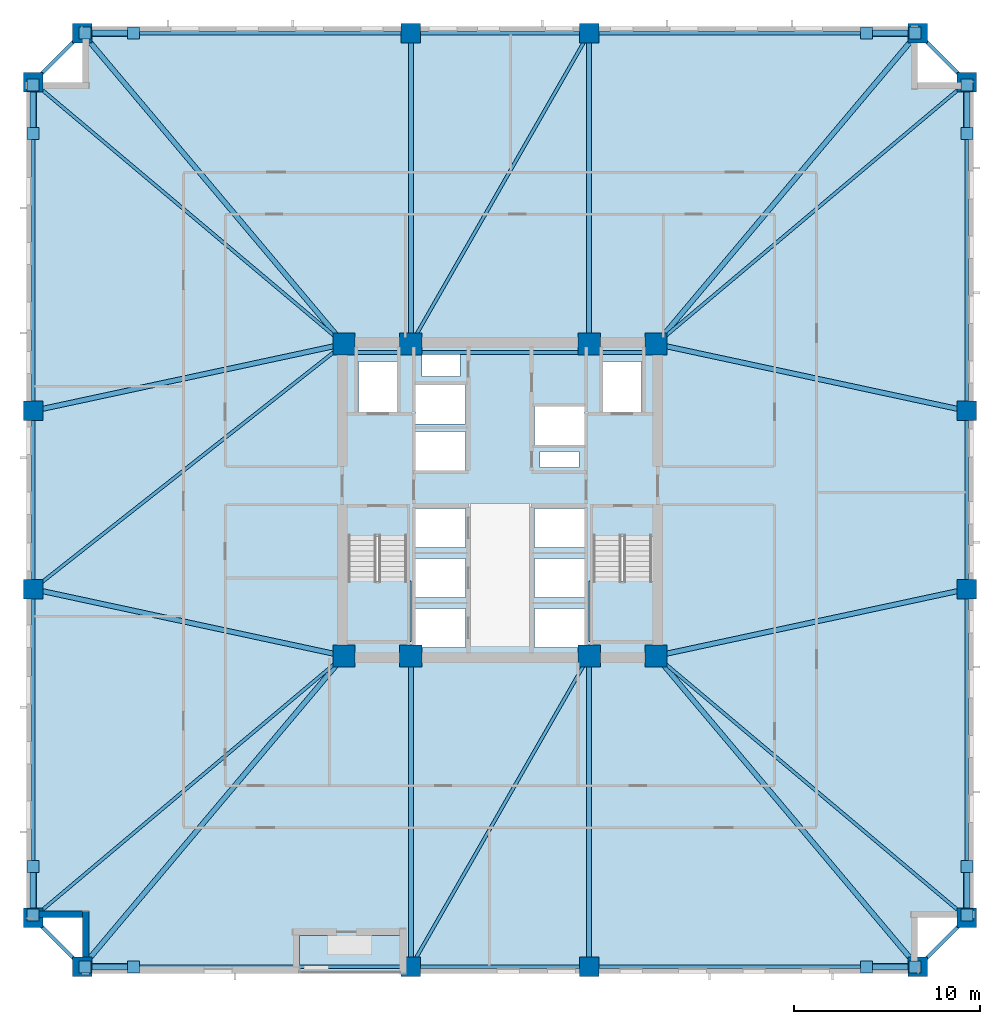
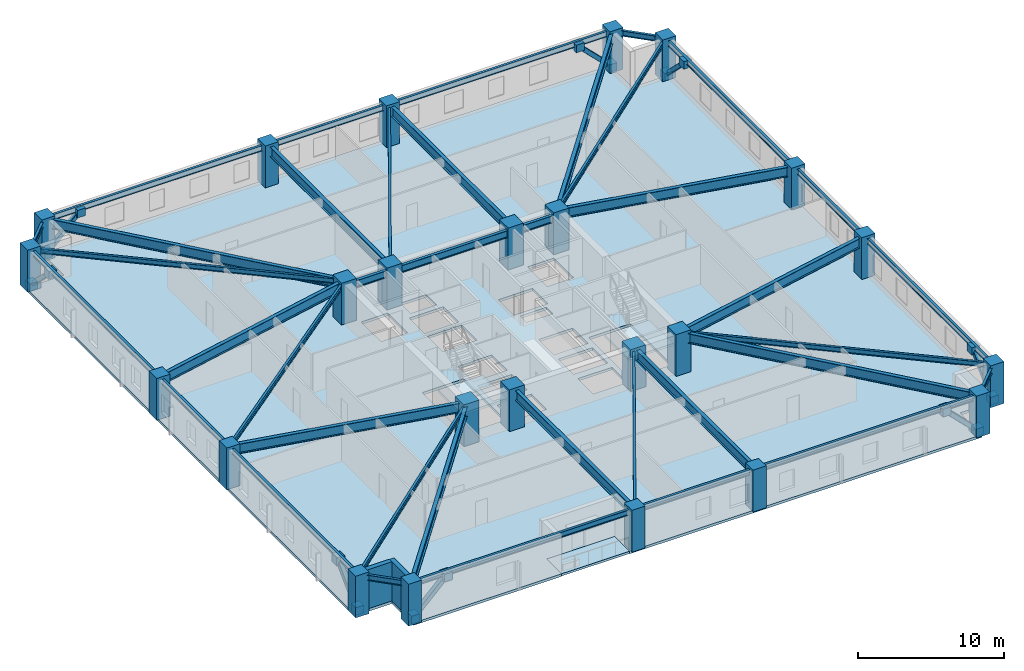
# One storey, part 1 of 10: 38 beams, 24 columns, 16 plates, 8 members, 4 slabs, 2 walls, 2 elements without a shape of their own.
"""IFC4 building model written with IfcOpenShell, lengths in metres."""

from ifc_helpers import new_model, si_unit, direction, frame, frame_2d, origin, origin_2d, place, context, subcontext, project, spatial, polyline, rectangle, hollow_rectangle, i_section, outline, extrude, material, layer, layer_set, material_profile, profile_set, type_object, element, aggregate, save


model = new_model("IFC4")

# Units and contexts
model_context = context("Model", 3, precision=1e-05, world=origin(), true_north=direction((0.0, 1.0)))
body_context = subcontext(model_context, "Body", "Model", "MODEL_VIEW")
ifc_project = project(units=[si_unit("LENGTHUNIT", "METRE"), si_unit("AREAUNIT", "SQUARE_METRE"), si_unit("VOLUMEUNIT", "CUBIC_METRE"), si_unit("PLANEANGLEUNIT", "RADIAN"), si_unit("MASSUNIT", "GRAM", prefix="KILO")], contexts=[model_context])

# Site, building, storey
site_placement = place(None, origin())
site = spatial("IfcSite", under=ifc_project, at=site_placement, CompositionType="ELEMENT")
building_placement = place(site_placement, origin())
building = spatial("IfcBuilding", under=site, at=building_placement, Name="Cairnveth Concourse Tower", CompositionType="ELEMENT")
storey_placement = place(building_placement, frame((0.0, 0.0, 30.5)))
storey = spatial("IfcBuildingStorey", under=building, at=storey_placement, Name="L07", CompositionType="ELEMENT", Elevation=30.5)

# Columns
ifc_material_1 = material(Name="Concrete N80 (80 MPa)", Category="concrete")
ifc_material_profile_1 = material_profile(ifc_material_1, rectangle(XDim=1.199951171875, YDim=1.199951171875, at=origin_2d()), Name="RC-COL-1200x1200")
ifc_profile_set_1 = profile_set([ifc_material_profile_1], Name="Concrete N80 (80 MPa)")
column_type_1 = type_object("IfcColumnType", Name="CORE COLUMN 1200X1200", PredefinedType="COLUMN", material=ifc_profile_set_1)
for number, where, z_axis, x_axis, name in (
    (1, (43.60009765625, 30.60009765625, 0.0), (0.0, 0.0, 1.0), (1.0, 0.0, 0.0), "Column CC1 L07"),
    (2, (47.199951171875, 30.60009765625, 0.0), (0.0, 0.0, 1.0), (1.0, 0.0, 0.0), "Column CC2 L07"),
    (3, (56.800048828125, 30.60009765625, 0.0), (0.0, 0.0, 1.0), (1.0, 0.0, 0.0), "Column CC3 L07"),
    (4, (60.39990234375, 30.60009765625, 0.0), (0.0, 0.0, 1.0), (1.0, 0.0, 0.0), "Column CC4 L07"),
    (5, (43.60009765625, 47.39990234375, 0.0), (0.0, 0.0, 1.0), (1.0, 0.0, 0.0), "Column CC5 L07"),
    (6, (47.199951171875, 47.39990234375, 0.0), (0.0, 0.0, 1.0), (1.0, 0.0, 0.0), "Column CC6 L07"),
    (7, (56.800048828125, 47.39990234375, 0.0), (0.0, 0.0, 1.0), (1.0, 0.0, 0.0), "Column CC7 L07"),
    (8, (60.39990234375, 47.39990234375, 0.0), (0.0, 0.0, 1.0), (1.0, 0.0, 0.0), "Column CC8 L07"),
):
    element("IfcColumn", number, at=place(storey_placement, frame(where, z_axis=z_axis, x_axis=x_axis)), inside=storey, type_object=column_type_1, Name=name, PredefinedType="COLUMN", context=body_context, shape_type="SweptSolid", body=[
        extrude(rectangle(XDim=1.199951171875, YDim=1.199951171875, at=origin_2d()), origin(), (0.0, 0.0, 1.0), 3.5),
    ])
ifc_material_2 = material(Name="Concrete N65 (65 MPa)", Category="concrete")
ifc_material_profile_2 = material_profile(ifc_material_2, rectangle(XDim=1.050048828125, YDim=1.050048828125, at=origin_2d()), Name="RC-COL-1050x1050")
ifc_profile_set_2 = profile_set([ifc_material_profile_2], Name="Concrete N65 (65 MPa)")
column_type_2 = type_object("IfcColumnType", Name="PERIMETER PIER COLUMN 1050X1050", PredefinedType="COLUMN", material=ifc_profile_set_2)
for number, where, z_axis, x_axis, name in (
    (9, (29.5, 13.85009765625, 0.0), (0.0, 0.0, 1.0), (1.0, 0.0, 0.0), "Column P-S1 L07"),
    (10, (47.199951171875, 13.85009765625, 0.0), (0.0, 0.0, 1.0), (1.0, 0.0, 0.0), "Column P-S2 L07"),
    (11, (56.800048828125, 13.85009765625, 0.0), (0.0, 0.0, 1.0), (1.0, 0.0, 0.0), "Column P-S3 L07"),
    (12, (74.5, 13.85009765625, 0.0), (0.0, 0.0, 1.0), (1.0, 0.0, 0.0), "Column P-S4 L07"),
    (13, (77.14990234375, 16.5, 0.0), (0.0, 0.0, 1.0), (0.0, 1.0, 0.0), "Column P-E1 L07"),
    (14, (77.14990234375, 34.199951171875, 0.0), (0.0, 0.0, 1.0), (0.0, 1.0, 0.0), "Column P-E2 L07"),
    (15, (77.14990234375, 43.800048828125, 0.0), (0.0, 0.0, 1.0), (0.0, 1.0, 0.0), "Column P-E3 L07"),
    (16, (77.14990234375, 61.5, 0.0), (0.0, 0.0, 1.0), (0.0, 1.0, 0.0), "Column P-E4 L07"),
    (17, (74.5, 64.14990234375, 0.0), (0.0, 0.0, 1.0), (1.0, 0.0, 0.0), "Column P-N1 L07"),
    (18, (56.800048828125, 64.14990234375, 0.0), (0.0, 0.0, 1.0), (1.0, 0.0, 0.0), "Column P-N2 L07"),
    (19, (47.199951171875, 64.14990234375, 0.0), (0.0, 0.0, 1.0), (1.0, 0.0, 0.0), "Column P-N3 L07"),
    (20, (29.5, 64.14990234375, 0.0), (0.0, 0.0, 1.0), (1.0, 0.0, 0.0), "Column P-N4 L07"),
    (21, (26.85009765625, 61.5, 0.0), (0.0, 0.0, 1.0), (0.0, 1.0, 0.0), "Column P-W1 L07"),
    (22, (26.85009765625, 43.800048828125, 0.0), (0.0, 0.0, 1.0), (0.0, 1.0, 0.0), "Column P-W2 L07"),
    (23, (26.85009765625, 34.199951171875, 0.0), (0.0, 0.0, 1.0), (0.0, 1.0, 0.0), "Column P-W3 L07"),
    (24, (26.85009765625, 16.5, 0.0), (0.0, 0.0, 1.0), (0.0, 1.0, 0.0), "Column P-W4 L07"),
):
    element("IfcColumn", number, at=place(storey_placement, frame(where, z_axis=z_axis, x_axis=x_axis)), inside=storey, type_object=column_type_2, Name=name, PredefinedType="COLUMN", context=body_context, shape_type="SweptSolid", body=[
        extrude(rectangle(XDim=1.050048828125, YDim=1.050048828125, at=origin_2d()), origin(), (0.0, 0.0, 1.0), 3.5),
    ])

# Beams
ifc_material_3 = material(Name="Steel Grade 350", Category="steel")
ifc_material_profile_3 = material_profile(ifc_material_3, i_section(OverallWidth=0.22802734375, OverallDepth=0.60693359375, WebThickness=0.01123046875, FlangeThickness=0.017333984375, FilletRadius=0.013916015625, at=origin_2d()), Name="610UB113")
ifc_profile_set_3 = profile_set([ifc_material_profile_3], Name="Steel Grade 350")
beam_type_1 = type_object("IfcBeamType", Name="CORE TIE BEAM 610UB113", PredefinedType="T_BEAM", material=ifc_profile_set_3)
for number, where, z_axis, x_axis, name in (
    (25, (43.60009765625, 46.949951171875, 2.9765625), (1.0, 0.0, 0.0), (0.0, 1.0, 0.0), "Beam CT-N1 L07"),
    (26, (56.800048828125, 46.949951171875, 2.9765625), (1.0, 0.0, 0.0), (0.0, 1.0, 0.0), "Beam CT-N3 L07"),
):
    element("IfcBeam", number, at=place(storey_placement, frame(where, z_axis=z_axis, x_axis=x_axis)), inside=storey, type_object=beam_type_1, Name=name, PredefinedType="T_BEAM", context=body_context, shape_type="SweptSolid", body=[
        extrude(i_section(OverallWidth=0.22802734375, OverallDepth=0.60693359375, WebThickness=0.01123046875, FlangeThickness=0.017333984375, FilletRadius=0.013916015625, at=origin_2d()), origin(), (0.0, 0.0, 1.0), 3.599853515625),
    ])
beam_1_placement = place(storey_placement, frame((47.199951171875, 46.949951171875, 2.9765625), z_axis=(1.0, 0.0, 0.0), x_axis=(0.0, 1.0, 0.0)))
element("IfcBeam", 27, at=beam_1_placement, inside=storey, type_object=beam_type_1, Name="Beam CT-N2 L07", PredefinedType="T_BEAM", context=body_context, shape_type="SweptSolid", body=[
    extrude(i_section(OverallWidth=0.22802734375, OverallDepth=0.60693359375, WebThickness=0.01123046875, FlangeThickness=0.017333984375, FilletRadius=0.013916015625, at=origin_2d()), origin(), (0.0, 0.0, 1.0), 9.60009765625),
])
ifc_material_profile_4 = material_profile(ifc_material_3, i_section(OverallWidth=0.177978515625, OverallDepth=0.406005859375, WebThickness=0.0078125, FlangeThickness=0.0126953125, FilletRadius=0.010986328125, at=origin_2d()), Name="410UB59.7")
ifc_profile_set_4 = profile_set([ifc_material_profile_4], Name="Steel Grade 350")
beam_type_2 = type_object("IfcBeamType", Name="ZONE 1 FLOOR JOIST 410UB59.7", PredefinedType="JOIST", material=ifc_profile_set_4)
for number, where, z_axis, x_axis, name in (
    (28, (26.85009765625, 16.5, 3.076904296875), (0.765027427674, 0.643997697905, 0.0), (-0.643997697905, 0.765027427674, 0.0), "Beam FJ-CSW2 L07"),
    (29, (77.14990234375, 16.5, 3.076904296875), (-0.765027427674, 0.643997697905, 0.0), (-0.643997697905, -0.765027427674, 0.0), "Beam FJ-CSE2 L07"),
    (30, (77.14990234375, 61.5, 3.076904296875), (-0.765027427674, -0.643997697905, 0.0), (0.643997697905, -0.765027427674, 0.0), "Beam FJ-CNE2 L07"),
    (31, (26.85009765625, 61.5, 3.076904296875), (0.765027427674, -0.643997697905, 0.0), (0.643997697905, 0.765027427674, 0.0), "Beam FJ-CNW2 L07"),
):
    element("IfcBeam", number, at=place(storey_placement, frame(where, z_axis=z_axis, x_axis=x_axis)), inside=storey, type_object=beam_type_2, Name=name, PredefinedType="JOIST", context=body_context, shape_type="SweptSolid", body=[
        extrude(i_section(OverallWidth=0.177978515625, OverallDepth=0.406005859375, WebThickness=0.0078125, FlangeThickness=0.0126953125, FilletRadius=0.010986328125, at=origin_2d()), origin(), (0.0, 0.0, 1.0), 21.89453125),
    ])
for number, where, z_axis, x_axis, name in (
    (32, (47.199951171875, 13.85009765625, 3.076904296875), (0.497257970706, 0.86760273776, 0.0), (-0.86760273776, 0.497257970706, 0.0), "Beam FJ-S-M1 L07"),
    (33, (47.199951171875, 47.39990234375, 3.076904296875), (0.497257970706, 0.86760273776, 0.0), (-0.86760273776, 0.497257970706, 0.0), "Beam FJ-N-M1 L07"),
):
    element("IfcBeam", number, at=place(storey_placement, frame(where, z_axis=z_axis, x_axis=x_axis)), inside=storey, type_object=beam_type_2, Name=name, PredefinedType="JOIST", context=body_context, shape_type="SweptSolid", body=[
        extrude(i_section(OverallWidth=0.177978515625, OverallDepth=0.406005859375, WebThickness=0.0078125, FlangeThickness=0.0126953125, FilletRadius=0.010986328125, at=origin_2d()), origin(), (0.0, 0.0, 1.0), 19.30615234375),
    ])
beam_2_placement = place(storey_placement, frame((26.85009765625, 34.199951171875, 3.076904296875), z_axis=(0.785423705995, 0.618958481694, 0.0), x_axis=(-0.618958481694, 0.785423705995, 0.0)))
element("IfcBeam", 34, at=beam_2_placement, inside=storey, type_object=beam_type_2, Name="Beam FJ-W-M1 L07", PredefinedType="JOIST", context=body_context, shape_type="SweptSolid", body=[
    extrude(i_section(OverallWidth=0.177978515625, OverallDepth=0.406005859375, WebThickness=0.0078125, FlangeThickness=0.0126953125, FilletRadius=0.010986328125, at=origin_2d()), origin(), (0.0, 0.0, 1.0), 21.326171875),
])

# Members
ifc_material_4 = material(Name="Steel C350L0 (350 MPa)", Category="steel")
ifc_material_profile_5 = material_profile(ifc_material_4, hollow_rectangle(XDim=0.35009765625, YDim=0.35009765625, WallThickness=0.01611328125, InnerFilletRadius=0.01611328125, OuterFilletRadius=0.031982421875, at=origin_2d()), Name="350x350x16.0SHS")
ifc_profile_set_5 = profile_set([ifc_material_profile_5], Name="Steel C350L0 (350 MPa)")
member_type = type_object("IfcMemberType", Name="ZONE 1 PIER BRACE 350X350X16SHS", PredefinedType="BRACE", material=ifc_profile_set_5)
for number, where, z_axis, x_axis, name in (
    (35, (29.64990234375, 13.85009765625, 0.25), (0.709834195787, 0.0, 0.704368805735), (0.0, 1.0, 0.0), "Structural Brace PB-S1 L07"),
    (36, (74.35009765625, 13.85009765625, 0.25), (-0.709834195787, 0.0, 0.704368805735), (0.0, -1.0, 0.0), "Structural Brace PB-S2 L07"),
    (37, (29.64990234375, 64.14990234375, 0.25), (0.709834195787, 0.0, 0.704368805735), (0.0, 1.0, 0.0), "Structural Brace PB-N1 L07"),
    (38, (74.35009765625, 64.14990234375, 0.25), (-0.709834195787, 0.0, 0.704368805735), (0.0, -1.0, 0.0), "Structural Brace PB-N2 L07"),
    (39, (26.85009765625, 16.64990234375, 0.25), (0.0, 0.709834195787, 0.704368805735), (-1.0, 0.0, 0.0), "Structural Brace PB-W1 L07"),
    (40, (26.85009765625, 61.35009765625, 0.25), (0.0, -0.709834195787, 0.704368805735), (1.0, 0.0, 0.0), "Structural Brace PB-W2 L07"),
    (41, (77.14990234375, 16.64990234375, 0.25), (0.0, 0.709834195787, 0.704368805735), (-1.0, 0.0, 0.0), "Structural Brace PB-E1 L07"),
    (42, (77.14990234375, 61.35009765625, 0.25), (0.0, -0.709834195787, 0.704368805735), (1.0, 0.0, 0.0), "Structural Brace PB-E2 L07"),
):
    element("IfcMember", number, at=place(storey_placement, frame(where, z_axis=z_axis, x_axis=x_axis)), inside=storey, type_object=member_type, Name=name, PredefinedType="BRACE", context=body_context, shape_type="SweptSolid", body=[
        extrude(hollow_rectangle(XDim=0.35009765625, YDim=0.35009765625, WallThickness=0.01611328125, InnerFilletRadius=0.01611328125, OuterFilletRadius=0.031982421875, at=origin_2d()), origin(), (0.0, 0.0, 1.0), 3.6630859375),
    ])

# Beams
ifc_material_profile_6 = material_profile(ifc_material_3, i_section(OverallWidth=0.27490234375, OverallDepth=0.81591796875, WebThickness=0.011962890625, FlangeThickness=0.028076171875, at=origin_2d()), Name="800WB192")
ifc_profile_set_6 = profile_set([ifc_material_profile_6], Name="Steel Grade 350")
beam_type_3 = type_object("IfcBeamType", Name="ZONE 1 RADIAL GIRDER 800WB192", PredefinedType="BEAM", material=ifc_profile_set_6)
for number, where, z_axis, x_axis, name in (
    (43, (47.199951171875, 13.85009765625, 2.8720703125), (0.0, 1.0, 0.0), (-1.0, 0.0, 0.0), "Beam RG-S1 L07"),
    (44, (56.800048828125, 13.85009765625, 2.8720703125), (0.0, 1.0, 0.0), (-1.0, 0.0, 0.0), "Beam RG-S2 L07"),
    (45, (47.199951171875, 47.39990234375, 2.8720703125), (0.0, 1.0, 0.0), (-1.0, 0.0, 0.0), "Beam RG-N1 L07"),
    (46, (56.800048828125, 47.39990234375, 2.8720703125), (0.0, 1.0, 0.0), (-1.0, 0.0, 0.0), "Beam RG-N2 L07"),
):
    element("IfcBeam", number, at=place(storey_placement, frame(where, z_axis=z_axis, x_axis=x_axis)), inside=storey, type_object=beam_type_3, Name=name, PredefinedType="BEAM", context=body_context, shape_type="SweptSolid", body=[
        extrude(i_section(OverallWidth=0.27490234375, OverallDepth=0.81591796875, WebThickness=0.011962890625, FlangeThickness=0.028076171875, at=origin_2d()), origin(), (0.0, 0.0, 1.0), 16.75),
    ])
for number, where, z_axis, x_axis, name in (
    (47, (26.85009765625, 34.199951171875, 2.8720703125), (0.977675861524, -0.210118799239, 0.0), (0.210118799239, 0.977675861524, 0.0), "Beam RG-W1 L07"),
    (48, (26.85009765625, 43.800048828125, 2.8720703125), (0.977675861524, 0.210118799239, 0.0), (-0.210118799239, 0.977675861524, 0.0), "Beam RG-W2 L07"),
    (49, (60.39990234375, 30.60009765625, 2.8720703125), (0.977675861524, 0.210118799239, 0.0), (-0.210118799239, 0.977675861524, 0.0), "Beam RG-E1 L07"),
    (50, (60.39990234375, 47.39990234375, 2.8720703125), (0.977675861524, -0.210118799239, 0.0), (0.210118799239, 0.977675861524, 0.0), "Beam RG-E2 L07"),
):
    element("IfcBeam", number, at=place(storey_placement, frame(where, z_axis=z_axis, x_axis=x_axis)), inside=storey, type_object=beam_type_3, Name=name, PredefinedType="BEAM", context=body_context, shape_type="SweptSolid", body=[
        extrude(i_section(OverallWidth=0.27490234375, OverallDepth=0.81591796875, WebThickness=0.011962890625, FlangeThickness=0.028076171875, at=origin_2d()), origin(), (0.0, 0.0, 1.0), 17.132568359375),
    ])
for number, where, z_axis, x_axis, name in (
    (51, (29.5, 13.85009765625, 2.8720703125), (0.643997697905, 0.765027427674, 0.0), (-0.765027427674, 0.643997697905, 0.0), "Beam RG-CSW L07"),
    (52, (74.5, 13.85009765625, 2.8720703125), (-0.643997697905, 0.765027427674, 0.0), (-0.765027427674, -0.643997697905, 0.0), "Beam RG-CSE L07"),
    (53, (74.5, 64.14990234375, 2.8720703125), (-0.643997697905, -0.765027427674, 0.0), (0.765027427674, -0.643997697905, 0.0), "Beam RG-CNE L07"),
    (54, (29.5, 64.14990234375, 2.8720703125), (0.643997697905, -0.765027427674, 0.0), (0.765027427674, 0.643997697905, 0.0), "Beam RG-CNW L07"),
):
    element("IfcBeam", number, at=place(storey_placement, frame(where, z_axis=z_axis, x_axis=x_axis)), inside=storey, type_object=beam_type_3, Name=name, PredefinedType="BEAM", context=body_context, shape_type="SweptSolid", body=[
        extrude(i_section(OverallWidth=0.27490234375, OverallDepth=0.81591796875, WebThickness=0.011962890625, FlangeThickness=0.028076171875, at=origin_2d()), origin(), (0.0, 0.0, 1.0), 21.89453125),
    ])
ifc_material_profile_7 = material_profile(ifc_material_3, i_section(OverallWidth=0.19091796875, OverallDepth=0.4599609375, WebThickness=0.010009765625, FlangeThickness=0.01611328125, FilletRadius=0.010986328125, at=origin_2d()), Name="460UB82.1")
ifc_profile_set_7 = profile_set([ifc_material_profile_7], Name="Steel Grade 350")
beam_type_4 = type_object("IfcBeamType", Name="ZONE 1 SPANDREL BEAM 460UB82.1", PredefinedType="SPANDREL", material=ifc_profile_set_7)
beam_3_placement = place(storey_placement, frame((29.5, 13.85009765625, 3.050048828125), z_axis=(1.0, 0.0, 0.0), x_axis=(0.0, 1.0, 0.0)))
element("IfcBeam", 55, at=beam_3_placement, inside=storey, type_object=beam_type_4, Name="Beam SP-S1 L07", PredefinedType="SPANDREL", context=body_context, shape_type="SweptSolid", body=[
    extrude(i_section(OverallWidth=0.19091796875, OverallDepth=0.4599609375, WebThickness=0.010009765625, FlangeThickness=0.01611328125, FilletRadius=0.010986328125, at=origin_2d()), origin(), (0.0, 0.0, 1.0), 17.699951171875),
])
beam_4_placement = place(storey_placement, frame((47.199951171875, 13.85009765625, 3.050048828125), z_axis=(1.0, 0.0, 0.0), x_axis=(0.0, 1.0, 0.0)))
element("IfcBeam", 56, at=beam_4_placement, inside=storey, type_object=beam_type_4, Name="Beam SP-S2 L07", PredefinedType="SPANDREL", context=body_context, shape_type="SweptSolid", body=[
    extrude(i_section(OverallWidth=0.19091796875, OverallDepth=0.4599609375, WebThickness=0.010009765625, FlangeThickness=0.01611328125, FilletRadius=0.010986328125, at=origin_2d()), origin(), (0.0, 0.0, 1.0), 9.60009765625),
])
for number, where, z_axis, x_axis, name in (
    (57, (56.800048828125, 13.85009765625, 3.050048828125), (1.0, 0.0, 0.0), (0.0, 1.0, 0.0), "Beam SP-S3 L07"),
    (58, (29.5, 64.14990234375, 3.050048828125), (1.0, 0.0, 0.0), (0.0, 1.0, 0.0), "Beam SP-N1 L07"),
):
    element("IfcBeam", number, at=place(storey_placement, frame(where, z_axis=z_axis, x_axis=x_axis)), inside=storey, type_object=beam_type_4, Name=name, PredefinedType="SPANDREL", context=body_context, shape_type="SweptSolid", body=[
        extrude(i_section(OverallWidth=0.19091796875, OverallDepth=0.4599609375, WebThickness=0.010009765625, FlangeThickness=0.01611328125, FilletRadius=0.010986328125, at=origin_2d()), origin(), (0.0, 0.0, 1.0), 17.699951171875),
    ])
beam_5_placement = place(storey_placement, frame((47.199951171875, 64.14990234375, 3.050048828125), z_axis=(1.0, 0.0, 0.0), x_axis=(0.0, 1.0, 0.0)))
element("IfcBeam", 59, at=beam_5_placement, inside=storey, type_object=beam_type_4, Name="Beam SP-N2 L07", PredefinedType="SPANDREL", context=body_context, shape_type="SweptSolid", body=[
    extrude(i_section(OverallWidth=0.19091796875, OverallDepth=0.4599609375, WebThickness=0.010009765625, FlangeThickness=0.01611328125, FilletRadius=0.010986328125, at=origin_2d()), origin(), (0.0, 0.0, 1.0), 9.60009765625),
])
for number, where, z_axis, x_axis, name in (
    (60, (56.800048828125, 64.14990234375, 3.050048828125), (1.0, 0.0, 0.0), (0.0, 1.0, 0.0), "Beam SP-N3 L07"),
    (61, (26.85009765625, 16.5, 3.050048828125), (0.0, 1.0, 0.0), (-1.0, 0.0, 0.0), "Beam SP-W1 L07"),
):
    element("IfcBeam", number, at=place(storey_placement, frame(where, z_axis=z_axis, x_axis=x_axis)), inside=storey, type_object=beam_type_4, Name=name, PredefinedType="SPANDREL", context=body_context, shape_type="SweptSolid", body=[
        extrude(i_section(OverallWidth=0.19091796875, OverallDepth=0.4599609375, WebThickness=0.010009765625, FlangeThickness=0.01611328125, FilletRadius=0.010986328125, at=origin_2d()), origin(), (0.0, 0.0, 1.0), 17.699951171875),
    ])
beam_6_placement = place(storey_placement, frame((26.85009765625, 34.199951171875, 3.050048828125), z_axis=(0.0, 1.0, 0.0), x_axis=(-1.0, 0.0, 0.0)))
element("IfcBeam", 62, at=beam_6_placement, inside=storey, type_object=beam_type_4, Name="Beam SP-W2 L07", PredefinedType="SPANDREL", context=body_context, shape_type="SweptSolid", body=[
    extrude(i_section(OverallWidth=0.19091796875, OverallDepth=0.4599609375, WebThickness=0.010009765625, FlangeThickness=0.01611328125, FilletRadius=0.010986328125, at=origin_2d()), origin(), (0.0, 0.0, 1.0), 9.60009765625),
])
for number, where, z_axis, x_axis, name in (
    (63, (26.85009765625, 43.800048828125, 3.050048828125), (0.0, 1.0, 0.0), (-1.0, 0.0, 0.0), "Beam SP-W3 L07"),
    (64, (77.14990234375, 16.5, 3.050048828125), (0.0, 1.0, 0.0), (-1.0, 0.0, 0.0), "Beam SP-E1 L07"),
):
    element("IfcBeam", number, at=place(storey_placement, frame(where, z_axis=z_axis, x_axis=x_axis)), inside=storey, type_object=beam_type_4, Name=name, PredefinedType="SPANDREL", context=body_context, shape_type="SweptSolid", body=[
        extrude(i_section(OverallWidth=0.19091796875, OverallDepth=0.4599609375, WebThickness=0.010009765625, FlangeThickness=0.01611328125, FilletRadius=0.010986328125, at=origin_2d()), origin(), (0.0, 0.0, 1.0), 17.699951171875),
    ])
beam_7_placement = place(storey_placement, frame((77.14990234375, 34.199951171875, 3.050048828125), z_axis=(0.0, 1.0, 0.0), x_axis=(-1.0, 0.0, 0.0)))
element("IfcBeam", 65, at=beam_7_placement, inside=storey, type_object=beam_type_4, Name="Beam SP-E2 L07", PredefinedType="SPANDREL", context=body_context, shape_type="SweptSolid", body=[
    extrude(i_section(OverallWidth=0.19091796875, OverallDepth=0.4599609375, WebThickness=0.010009765625, FlangeThickness=0.01611328125, FilletRadius=0.010986328125, at=origin_2d()), origin(), (0.0, 0.0, 1.0), 9.60009765625),
])
beam_8_placement = place(storey_placement, frame((77.14990234375, 43.800048828125, 3.050048828125), z_axis=(0.0, 1.0, 0.0), x_axis=(-1.0, 0.0, 0.0)))
element("IfcBeam", 66, at=beam_8_placement, inside=storey, type_object=beam_type_4, Name="Beam SP-E3 L07", PredefinedType="SPANDREL", context=body_context, shape_type="SweptSolid", body=[
    extrude(i_section(OverallWidth=0.19091796875, OverallDepth=0.4599609375, WebThickness=0.010009765625, FlangeThickness=0.01611328125, FilletRadius=0.010986328125, at=origin_2d()), origin(), (0.0, 0.0, 1.0), 17.699951171875),
])
for number, where, z_axis, x_axis, name in (
    (67, (26.85009765625, 16.5, 3.050048828125), (0.707106781187, -0.707106781187, 0.0), (0.707106781187, 0.707106781187, 0.0), "Beam SP-SW L07"),
    (68, (74.5, 13.85009765625, 3.050048828125), (0.707106781187, 0.707106781187, 0.0), (-0.707106781187, 0.707106781187, 0.0), "Beam SP-SE L07"),
    (69, (74.5, 64.14990234375, 3.050048828125), (0.707106781187, -0.707106781187, 0.0), (0.707106781187, 0.707106781187, 0.0), "Beam SP-NE L07"),
    (70, (26.85009765625, 61.5, 3.050048828125), (0.707106781187, 0.707106781187, 0.0), (-0.707106781187, 0.707106781187, 0.0), "Beam SP-NW L07"),
):
    element("IfcBeam", number, at=place(storey_placement, frame(where, z_axis=z_axis, x_axis=x_axis)), inside=storey, type_object=beam_type_4, Name=name, PredefinedType="SPANDREL", context=body_context, shape_type="SweptSolid", body=[
        extrude(i_section(OverallWidth=0.19091796875, OverallDepth=0.4599609375, WebThickness=0.010009765625, FlangeThickness=0.01611328125, FilletRadius=0.010986328125, at=origin_2d()), origin(), (0.0, 0.0, 1.0), 3.74755859375),
    ])

# Slab
ifc_material_5 = material(Name="Concrete N50 (50 MPa)", Category="concrete")
ifc_layer_1 = layer(ifc_material_5, 0.219970703125)
ifc_layer_set_1 = layer_set([ifc_layer_1], Name="Concrete N50 (50 MPa)")
slab_type_1 = type_object("IfcSlabType", Name="LOWER TOWER COMPOSITE SLAB 220", PredefinedType="FLOOR", material=ifc_layer_set_1)
slab_1_placement = place(storey_placement, frame((0.0, 0.0, -0.219970703125)))
element("IfcSlab", 71, at=slab_1_placement, inside=storey, type_object=slab_type_1, Name="Tower Floor Slab L07", PredefinedType="FLOOR", context=body_context, shape_type="SweptSolid", body=[
    extrude(outline(polyline([(41.199951171875, 13.5), (41.199951171875, 15.550048828125), (46.60009765625, 15.550048828125), (46.60009765625, 13.5), (74.5, 13.5), (74.5, 16.5), (77.5, 16.5), (77.5, 61.5), (74.5, 61.5), (74.5, 64.5), (29.5, 64.5), (29.5, 61.5), (26.5, 61.5), (26.5, 16.5), (29.5, 16.5), (29.5, 13.5), (41.199951171875, 13.5)]), holes=[polyline([(43.760009765625, 31.360107421875), (47.06005859375, 31.360107421875), (47.06005859375, 37.0400390625), (43.760009765625, 37.0400390625), (43.760009765625, 31.360107421875)]), polyline([(56.93994140625, 31.360107421875), (60.239990234375, 31.360107421875), (60.239990234375, 37.0400390625), (56.93994140625, 37.0400390625), (56.93994140625, 31.360107421875)]), polyline([(44.3701171875, 43.75), (46.469970703125, 43.75), (46.469970703125, 46.449951171875), (44.3701171875, 46.449951171875), (44.3701171875, 43.75)]), polyline([(57.530029296875, 43.75), (59.6298828125, 43.75), (59.6298828125, 46.449951171875), (57.530029296875, 46.449951171875), (57.530029296875, 43.75)]), polyline([(47.449951171875, 31.050048828125), (50.14990234375, 31.050048828125), (50.14990234375, 33.14990234375), (47.449951171875, 33.14990234375), (47.449951171875, 31.050048828125)]), polyline([(47.449951171875, 33.75), (50.14990234375, 33.75), (50.14990234375, 35.85009765625), (47.449951171875, 35.85009765625), (47.449951171875, 33.75)]), polyline([(47.449951171875, 36.449951171875), (50.14990234375, 36.449951171875), (50.14990234375, 38.550048828125), (47.449951171875, 38.550048828125), (47.449951171875, 36.449951171875)]), polyline([(53.85009765625, 31.050048828125), (56.550048828125, 31.050048828125), (56.550048828125, 33.14990234375), (53.85009765625, 33.14990234375), (53.85009765625, 31.050048828125)]), polyline([(53.85009765625, 33.75), (56.550048828125, 33.75), (56.550048828125, 35.85009765625), (53.85009765625, 35.85009765625), (53.85009765625, 33.75)]), polyline([(53.85009765625, 36.449951171875), (56.550048828125, 36.449951171875), (56.550048828125, 38.550048828125), (53.85009765625, 38.550048828125), (53.85009765625, 36.449951171875)]), polyline([(47.449951171875, 40.60009765625), (50.14990234375, 40.60009765625), (50.14990234375, 42.699951171875), (47.449951171875, 42.699951171875), (47.449951171875, 40.60009765625)]), polyline([(47.449951171875, 43.10009765625), (50.14990234375, 43.10009765625), (50.14990234375, 45.199951171875), (47.449951171875, 45.199951171875), (47.449951171875, 43.10009765625)]), polyline([(53.85009765625, 41.949951171875), (56.550048828125, 41.949951171875), (56.550048828125, 44.050048828125), (53.85009765625, 44.050048828125), (53.85009765625, 41.949951171875)]), polyline([(47.800048828125, 45.64990234375), (49.85009765625, 45.64990234375), (49.85009765625, 47.050048828125), (47.800048828125, 47.050048828125), (47.800048828125, 45.64990234375)]), polyline([(54.14990234375, 40.75), (56.25, 40.75), (56.25, 41.6201171875), (54.14990234375, 41.6201171875), (54.14990234375, 40.75)])]), origin(), (0.0, 0.0, 1.0), 0.219970703125),
])

# Plates
ifc_layer_2 = layer(ifc_material_3, 0.031982421875)
ifc_layer_set_2 = layer_set([ifc_layer_2], Name="Steel Grade 350")
plate_type = type_object("IfcPlateType", Name="PERIMETER BRACE GUSSET PLATE 32", PredefinedType="USERDEFINED", material=ifc_layer_set_2)
for number, where, z_axis, x_axis, name in (
    (72, (29.64990234375, 13.85009765625, -0.06982421875), (0.0, 0.0, 1.0), (1.0, 0.0, 0.0), "Structural Node Plate 0093 L07"),
    (73, (32.25, 13.85009765625, 2.51025390625), (0.0, 0.0, 1.0), (1.0, 0.0, 0.0), "Structural Node Plate 0094 L07"),
    (74, (74.35009765625, 13.85009765625, -0.06982421875), (0.0, 0.0, 1.0), (1.0, 0.0, 0.0), "Structural Node Plate 0095 L07"),
    (75, (71.75, 13.85009765625, 2.51025390625), (0.0, 0.0, 1.0), (1.0, 0.0, 0.0), "Structural Node Plate 0096 L07"),
    (76, (29.64990234375, 64.14990234375, -0.06982421875), (0.0, 0.0, 1.0), (1.0, 0.0, 0.0), "Structural Node Plate 0097 L07"),
    (77, (32.25, 64.14990234375, 2.51025390625), (0.0, 0.0, 1.0), (1.0, 0.0, 0.0), "Structural Node Plate 0098 L07"),
    (78, (74.35009765625, 64.14990234375, -0.06982421875), (0.0, 0.0, 1.0), (1.0, 0.0, 0.0), "Structural Node Plate 0099 L07"),
    (79, (71.75, 64.14990234375, 2.51025390625), (0.0, 0.0, 1.0), (1.0, 0.0, 0.0), "Structural Node Plate 0100 L07"),
    (80, (26.85009765625, 16.64990234375, -0.06982421875), (0.0, 0.0, 1.0), (1.0, 0.0, 0.0), "Structural Node Plate 0101 L07"),
    (81, (26.85009765625, 19.25, 2.51025390625), (0.0, 0.0, 1.0), (1.0, 0.0, 0.0), "Structural Node Plate 0102 L07"),
    (82, (26.85009765625, 61.35009765625, -0.06982421875), (0.0, 0.0, 1.0), (1.0, 0.0, 0.0), "Structural Node Plate 0103 L07"),
    (83, (26.85009765625, 58.75, 2.51025390625), (0.0, 0.0, 1.0), (1.0, 0.0, 0.0), "Structural Node Plate 0104 L07"),
    (84, (77.14990234375, 16.64990234375, -0.06982421875), (0.0, 0.0, 1.0), (1.0, 0.0, 0.0), "Structural Node Plate 0105 L07"),
    (85, (77.14990234375, 19.25, 2.51025390625), (0.0, 0.0, 1.0), (1.0, 0.0, 0.0), "Structural Node Plate 0106 L07"),
    (86, (77.14990234375, 61.35009765625, -0.06982421875), (0.0, 0.0, 1.0), (1.0, 0.0, 0.0), "Structural Node Plate 0107 L07"),
    (87, (77.14990234375, 58.75, 2.51025390625), (0.0, 0.0, 1.0), (1.0, 0.0, 0.0), "Structural Node Plate 0108 L07"),
):
    element("IfcPlate", number, at=place(storey_placement, frame(where, z_axis=z_axis, x_axis=x_axis)), inside=storey, type_object=plate_type, Name=name, ObjectType="GUSSET PLATE", PredefinedType="USERDEFINED", context=body_context, shape_type="SweptSolid", body=[
        extrude(rectangle(XDim=0.639892578125, YDim=0.639892578125, at=origin_2d()), origin(), (0.0, 0.0, 1.0), 0.639892578125),
    ])

# Slab
ifc_layer_3 = layer(ifc_material_5, 0.18994140625)
ifc_layer_set_3 = layer_set([ifc_layer_3], Name="Concrete N50 (50 MPa)")
slab_type_2 = type_object("IfcSlabType", Name="SPIRAL OUTDOOR TERRACE SLAB 190", PredefinedType="FLOOR", material=ifc_layer_set_3)
slab_2_placement = place(storey_placement, frame((0.0, 0.0, -0.18994140625)))
element("IfcSlab", 88, at=slab_2_placement, inside=storey, type_object=slab_type_2, Name="Spiral Terrace Slab L07", PredefinedType="FLOOR", context=body_context, shape_type="SweptSolid", body=[
    extrude(outline(polyline([(41.199951171875, 13.5), (46.60009765625, 13.5), (46.60009765625, 15.550048828125), (41.199951171875, 15.550048828125), (41.199951171875, 13.5)])), origin(), (0.0, 0.0, 1.0), 0.18994140625),
])

# Stair, slab
ifc_material_6 = material(Name="Precast concrete N50 (50 MPa)", Category="concrete")
stair_type = type_object("IfcStairType", Name="CORE DOG-LEG FIRE STAIR 1500", PredefinedType="HALF_TURN_STAIR", material=ifc_material_6)
stair_1_placement = place(storey_placement, origin())
stair_1 = element("IfcStair", 89, at=stair_1_placement, inside=storey, type_object=stair_type, Name="L07 Fire-Isolated Stair ST-1", PredefinedType="HALF_TURN_STAIR")
ifc_layer_4 = layer(ifc_material_5, 0.199951171875)
ifc_layer_set_4 = layer_set([ifc_layer_4], Name="Concrete N50 (50 MPa)")
slab_type_3 = type_object("IfcSlabType", Name="STAIR HALF LANDING SLAB 200", PredefinedType="LANDING", material=ifc_layer_set_4)
slab_3_placement = place(storey_placement, frame((0.0, 0.0, 1.550048828125)))
slab_3 = element("IfcSlab", 90, at=slab_3_placement, type_object=slab_type_3, Name="ST-1 landing 1", PredefinedType="LANDING", context=body_context, shape_type="SweptSolid", body=[
    extrude(outline(polyline([(43.6201171875, 34.639892578125), (43.6201171875, 31.3701171875), (47.199951171875, 31.3701171875), (47.199951171875, 34.639892578125), (43.6201171875, 34.639892578125)])), origin(), (0.0, 0.0, 1.0), 0.199951171875),
])
aggregate(stair_1, [slab_3])

stair_2_placement = place(storey_placement, origin())
stair_2 = element("IfcStair", 91, at=stair_2_placement, inside=storey, type_object=stair_type, Name="L07 Fire-Isolated Stair ST-2", PredefinedType="HALF_TURN_STAIR")
slab_4_placement = place(storey_placement, frame((0.0, 0.0, 1.550048828125)))
slab_4 = element("IfcSlab", 92, at=slab_4_placement, type_object=slab_type_3, Name="ST-2 landing 1", PredefinedType="LANDING", context=body_context, shape_type="SweptSolid", body=[
    extrude(outline(polyline([(56.800048828125, 34.639892578125), (56.800048828125, 31.3701171875), (60.3798828125, 31.3701171875), (60.3798828125, 34.639892578125), (56.800048828125, 34.639892578125)])), origin(), (0.0, 0.0, 1.0), 0.199951171875),
])
aggregate(stair_2, [slab_4])

# Walls
ifc_material_7 = material(Name="Hawthorn Red-Ochre Fired Clay Brick Masonry", Category="masonry")
ifc_layer_5 = layer(ifc_material_7, 0.360107421875)
ifc_layer_set_5 = layer_set([ifc_layer_5], Name="Hawthorn Red-Ochre Fired Clay Brick Masonry")
wall_type = type_object("IfcWallType", Name="ZONE 1 BRICK PIER SPANDREL WALL 360", PredefinedType="SOLIDWALL", material=ifc_layer_set_5)
wall_1_placement = place(storey_placement, frame((29.679931640625, 13.5, 0.0), z_axis=(0.0, 0.0, 1.0), x_axis=(0.0, 1.0, 0.0)))
element("IfcWall", 93, at=wall_1_placement, inside=storey, type_object=wall_type, Name="Exterior Wall EW-L07-S01", PredefinedType="SOLIDWALL", context=body_context, shape_type="SweptSolid", body=[
    extrude(rectangle(XDim=3.360107421875, YDim=0.360107421875, at=frame_2d((1.68017578125, 0.0))), origin(), (0.0, 0.0, 1.0), 3.280029296875),
])
wall_2_placement = place(storey_placement, frame((29.52197265625, 16.679931640625, 0.0), z_axis=(0.0, 0.0, 1.0), x_axis=(-1.0, 0.0, 0.0)))
element("IfcWall", 94, at=wall_2_placement, inside=storey, type_object=wall_type, Name="Exterior Wall EW-L07-S02", PredefinedType="SOLIDWALL", context=body_context, shape_type="SweptSolid", body=[
    extrude(rectangle(XDim=2.68408203125, YDim=0.360107421875, at=frame_2d((1.342041015625, 0.0))), origin(), (0.0, 0.0, 1.0), 3.280029296875),
])

save(model, "model.ifc")
